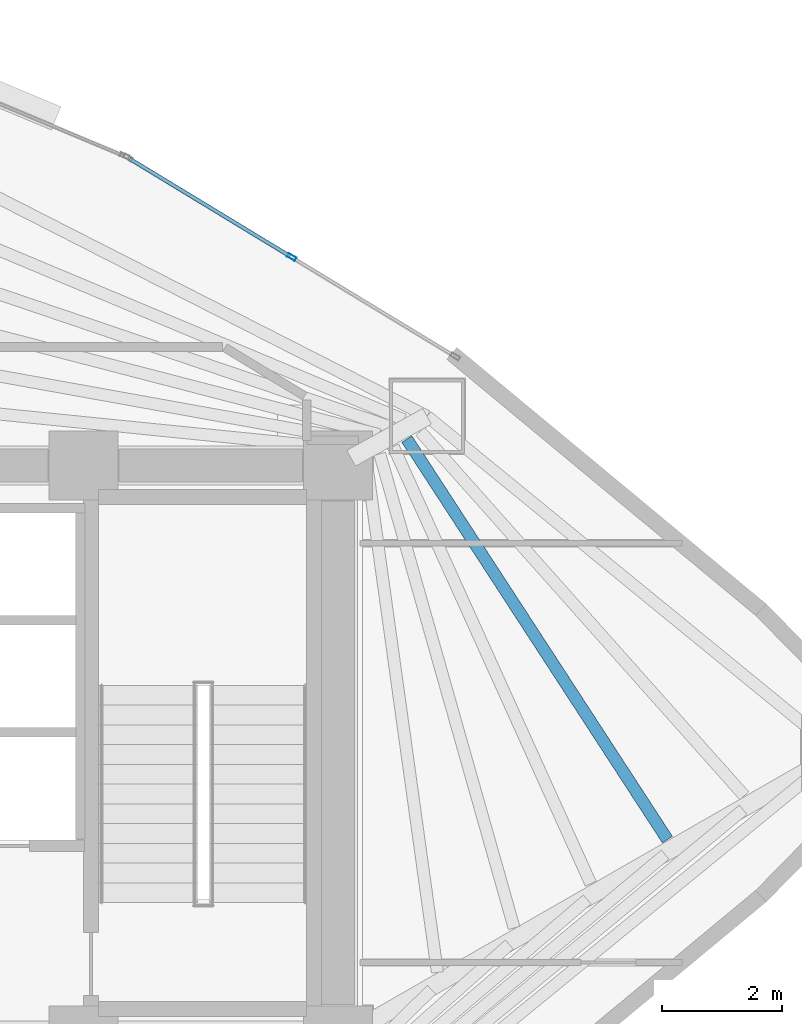
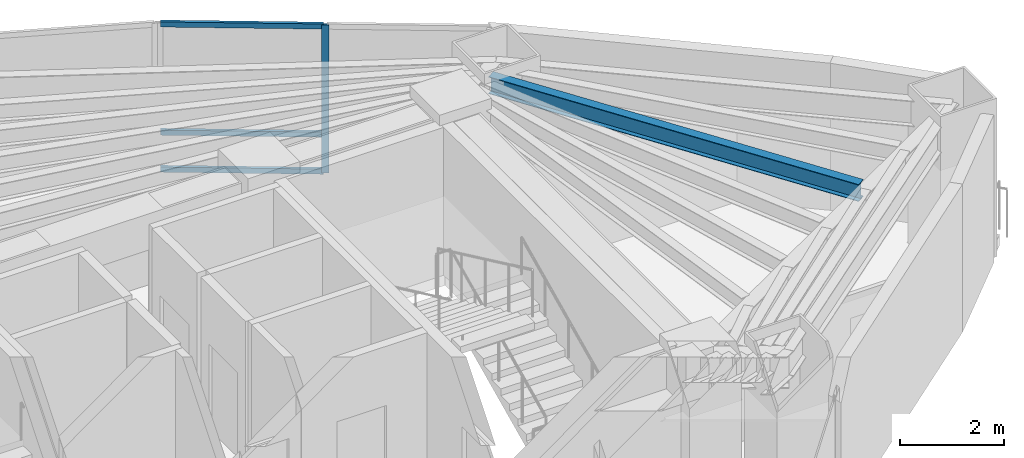
# One storey, part 11 of 18: 4 members, 1 beam, 1 element without a shape of its own.
"""IFC4 building model written with IfcOpenShell, lengths in metres."""

from ifc_helpers import new_model, si_unit, direction, frame, origin, origin_2d, place, context, subcontext, project, spatial, hollow_rectangle, i_section, extrude, material, layer, layer_set, material_profile, profile_set, type_object, element, aggregate, save


model = new_model("IFC4")

# Units and contexts
model_context = context("Model", 3, precision=1e-05, world=origin(), true_north=direction((0.0, 1.0)))
body_context = subcontext(model_context, "Body", "Model", "MODEL_VIEW")
ifc_project = project(units=[si_unit("LENGTHUNIT", "METRE"), si_unit("AREAUNIT", "SQUARE_METRE"), si_unit("VOLUMEUNIT", "CUBIC_METRE"), si_unit("PLANEANGLEUNIT", "RADIAN"), si_unit("MASSUNIT", "GRAM", prefix="KILO")], contexts=[model_context])

# Site, building, storey
site_placement = place(None, origin())
site = spatial("IfcSite", under=ifc_project, at=site_placement, CompositionType="ELEMENT")
building_placement = place(site_placement, origin())
building = spatial("IfcBuilding", under=site, at=building_placement, Name="Menara Vayukalpa", CompositionType="ELEMENT")
storey_placement = place(building_placement, frame((0.0, 0.0, 92.820068359375)))
storey = spatial("IfcBuildingStorey", under=building, at=storey_placement, Name="L22", CompositionType="ELEMENT", Elevation=92.820068359375)

# Beam
ifc_material_1 = material(Name="Steel S355", Category="steel")
ifc_material_profile_1 = material_profile(ifc_material_1, i_section(OverallWidth=0.199951171875, OverallDepth=0.39990234375, WebThickness=0.008056640625, FlangeThickness=0.012939453125, at=origin_2d()), Name="WF 400x200x8x13")
ifc_profile_set_1 = profile_set([ifc_material_profile_1], Name="Steel S355")
beam_type = type_object("IfcBeamType", Name="BM-SJ2", PredefinedType="JOIST", material=ifc_profile_set_1)
beam_placement = place(storey_placement, frame((38.89990234375, 20.552734375, 3.27001953125), z_axis=(-0.545359331823, 0.83820236172, 0.0), x_axis=(-0.83820236172, -0.545359331823, 0.0)))
element("IfcBeam", 1, at=beam_placement, inside=storey, type_object=beam_type, Name="L22 Secondary Floor Joist SJ01-4", PredefinedType="JOIST", context=body_context, shape_type="SweptSolid", body=[
    extrude(i_section(OverallWidth=0.199951171875, OverallDepth=0.39990234375, WebThickness=0.008056640625, FlangeThickness=0.012939453125, at=origin_2d()), origin(), (0.0, 0.0, 1.0), 7.979248046875),
])

# Curtain wall, members
ifc_material_2 = material(Name="Anodised Terracotta Aluminium Alloy 6063-T6", Category="masonry")
ifc_layer = layer(ifc_material_2, 0.14990234375)
ifc_layer_set = layer_set([ifc_layer], Name="Anodised Terracotta Aluminium Alloy 6063-T6")
curtain_wall_type = type_object("IfcCurtainWallType", Name="CW-CW3", PredefinedType="USERDEFINED", material=ifc_layer_set)
curtain_wall_placement = place(storey_placement, origin())
curtain_wall = element("IfcCurtainWall", 2, at=curtain_wall_placement, inside=storey, type_object=curtain_wall_type, Name="L22 Mid Rise Terracotta Ribbon Curtain Wall CW3 04", ObjectType="UNITISED", PredefinedType="USERDEFINED")
ifc_material_3 = material(Name="Anodised Terracotta Aluminium Alloy 6063-T6", Category="masonry")
ifc_material_profile_2 = material_profile(ifc_material_3, hollow_rectangle(XDim=0.06494140625, YDim=0.14990234375, WallThickness=0.00341796875, at=origin_2d()), Name="ALU 65x150x3.5")
ifc_profile_set_2 = profile_set([ifc_material_profile_2], Name="Anodised Terracotta Aluminium Alloy 6063-T6")
member_type_1 = type_object("IfcMemberType", Name="CWM-CW3", PredefinedType="MULLION", material=ifc_profile_set_2)
member_1_placement = place(storey_placement, frame((32.6259765625, 30.278564453125, 0.0), z_axis=(0.0, 0.0, 1.0), x_axis=(-0.519182959112, -0.854663123674, 0.0)))
member_1 = element("IfcMember", 3, at=member_1_placement, type_object=member_type_1, Name="CW3 mullion 2", PredefinedType="MULLION", context=body_context, shape_type="SweptSolid", body=[
    extrude(hollow_rectangle(XDim=0.06494140625, YDim=0.14990234375, WallThickness=0.00341796875, at=origin_2d()), origin(), (0.0, 0.0, 1.0), 3.469970703125),
])
ifc_material_4 = material(Name="Anodised Terracotta Aluminium Alloy 6063-T6", Category="masonry")
ifc_material_profile_3 = material_profile(ifc_material_4, hollow_rectangle(XDim=0.06494140625, YDim=0.1201171875, WallThickness=0.00341796875, at=origin_2d()), Name="ALU 65x120x3.5")
ifc_profile_set_3 = profile_set([ifc_material_profile_3], Name="Anodised Terracotta Aluminium Alloy 6063-T6")
member_type_2 = type_object("IfcMemberType", Name="CWT-CW3", PredefinedType="USERDEFINED", material=ifc_profile_set_3)
member_2_placement = place(storey_placement, frame((32.59814453125, 30.29541015625, 0.032470703125), z_axis=(-0.854673871166, 0.519165266506, 0.0), x_axis=(-0.519165266506, -0.854673871166, 0.0)))
member_2 = element("IfcMember", 4, at=member_2_placement, type_object=member_type_2, Name="CW3 transom 2.1", ObjectType="TRANSOM", PredefinedType="USERDEFINED", context=body_context, shape_type="SweptSolid", body=[
    extrude(hollow_rectangle(XDim=0.06494140625, YDim=0.1201171875, WallThickness=0.00341796875, at=origin_2d()), origin(), (0.0, 0.0, 1.0), 3.1318359375),
])
member_3_placement = place(storey_placement, frame((32.59814453125, 30.29541015625, 0.89990234375), z_axis=(-0.854673871166, 0.519165266506, 0.0), x_axis=(-0.519165266506, -0.854673871166, 0.0)))
member_3 = element("IfcMember", 5, at=member_3_placement, type_object=member_type_2, Name="CW3 transom 2.2", ObjectType="TRANSOM", PredefinedType="USERDEFINED", context=body_context, shape_type="SweptSolid", body=[
    extrude(hollow_rectangle(XDim=0.06494140625, YDim=0.1201171875, WallThickness=0.00341796875, at=origin_2d()), origin(), (0.0, 0.0, 1.0), 3.1318359375),
])
member_4_placement = place(storey_placement, frame((32.59814453125, 30.29541015625, 3.4375), z_axis=(-0.854673871166, 0.519165266506, 0.0), x_axis=(-0.519165266506, -0.854673871166, 0.0)))
member_4 = element("IfcMember", 6, at=member_4_placement, type_object=member_type_2, Name="CW3 transom 2.3", ObjectType="TRANSOM", PredefinedType="USERDEFINED", context=body_context, shape_type="SweptSolid", body=[
    extrude(hollow_rectangle(XDim=0.06494140625, YDim=0.1201171875, WallThickness=0.00341796875, at=origin_2d()), origin(), (0.0, 0.0, 1.0), 3.1318359375),
])
aggregate(curtain_wall, [member_1, member_2, member_3, member_4])

save(model, "model.ifc")
